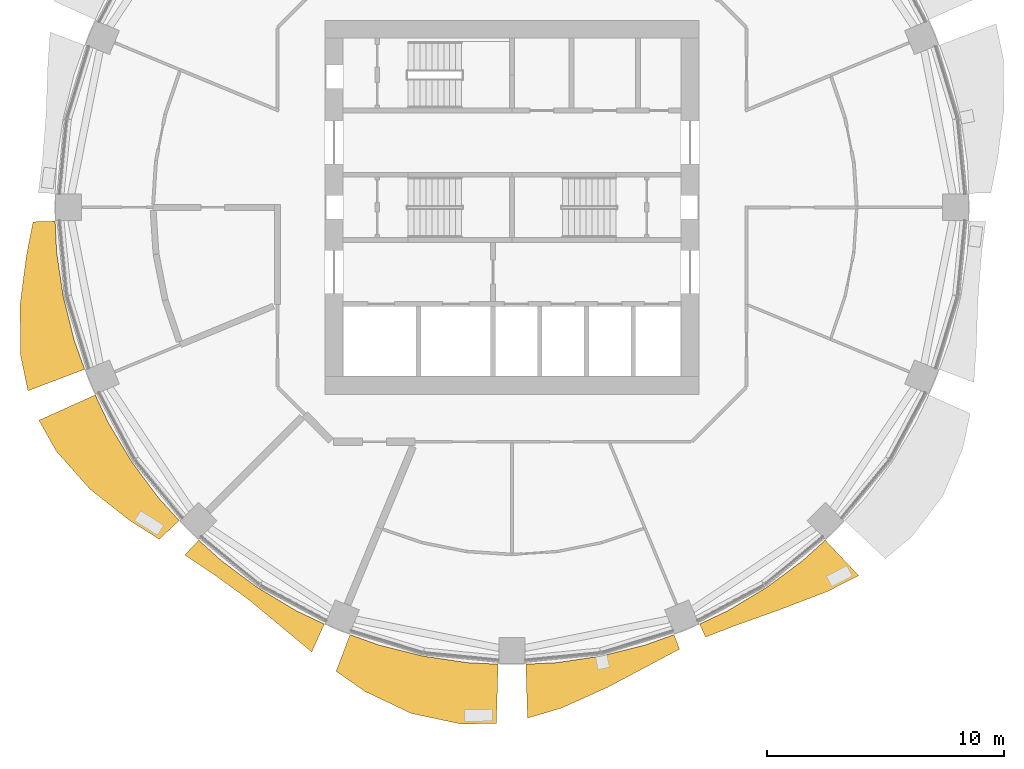
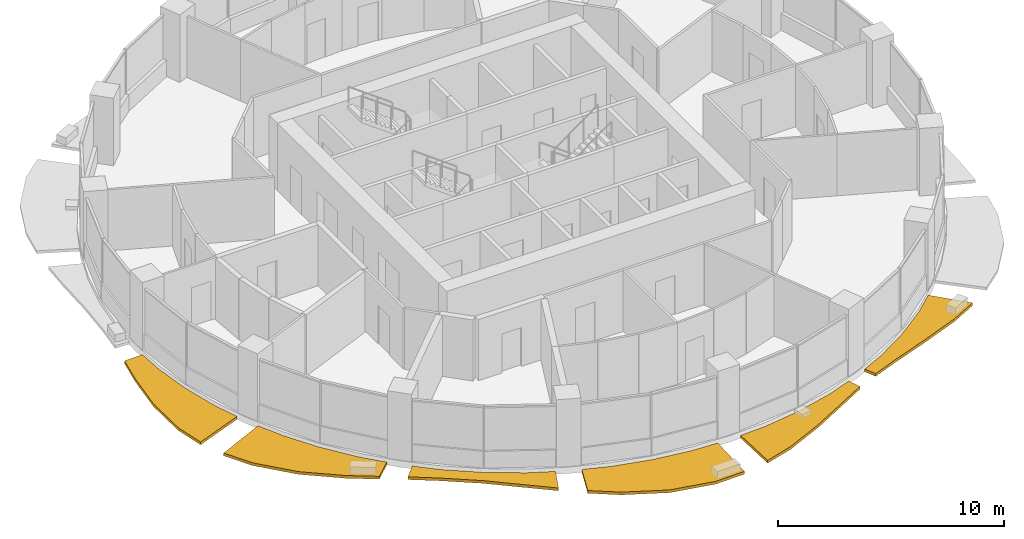
# One storey, part 11 of 14: 6 shading devices.
"""IFC4 building model written with IfcOpenShell, lengths in metres."""

from ifc_helpers import new_model, si_unit, direction, frame, origin, place, context, subcontext, project, spatial, polyline, outline, extrude, material, type_object, element, save


model = new_model("IFC4")

# Units and contexts
model_context = context("Model", 3, precision=1e-05, world=origin(), true_north=direction((0.0, 1.0)))
body_context = subcontext(model_context, "Body", "Model", "MODEL_VIEW")
ifc_project = project(units=[si_unit("LENGTHUNIT", "METRE"), si_unit("AREAUNIT", "SQUARE_METRE"), si_unit("VOLUMEUNIT", "CUBIC_METRE"), si_unit("PLANEANGLEUNIT", "RADIAN"), si_unit("MASSUNIT", "GRAM", prefix="KILO")], contexts=[model_context])

# Site, building, storey
site_placement = place(None, origin())
site = spatial("IfcSite", under=ifc_project, at=site_placement, CompositionType="ELEMENT")
building_placement = place(site_placement, origin())
building = spatial("IfcBuilding", under=site, at=building_placement, Name="Polderwave Tower", CompositionType="ELEMENT")
storey_placement = place(building_placement, frame((0.0, 0.0, 101.949951171875)))
storey = spatial("IfcBuildingStorey", under=building, at=storey_placement, Name="L26", CompositionType="ELEMENT", Elevation=101.949951171875)

# Shading devices
ifc_material = material(Name="Terracotta", Category="masonry")
shading_device_type = type_object("IfcShadingDeviceType", Name="Terracotta sunshade band", PredefinedType="USERDEFINED", material=ifc_material)
shading_device_1_placement = place(storey_placement, frame((0.0, 0.0, -0.349853515625)))
element("IfcShadingDevice", 1, at=shading_device_1_placement, inside=storey, type_object=shading_device_type, Name="Sunshade band L26 9", ObjectType="SUNSHADE", PredefinedType="USERDEFINED", context=body_context, shape_type="SweptSolid", body=[
    extrude(outline(polyline([(-19.2412109375, -0.583984375), (-19.17724609375, -1.888916015625), (-18.899658203125, -3.759521484375), (-18.440185546875, -5.59375), (-18.000244140625, -6.82373046875), (-20.384765625, -7.727783203125), (-20.6884765625, -6.27587890625), (-20.719482421875, -4.121337890625), (-20.4462890625, -2.013916015625), (-20.168212890625, -0.6123046875), (-19.2412109375, -0.583984375)])), origin(), (0.0, 0.0, 1.0), 0.14990234375),
])
shading_device_2_placement = place(storey_placement, frame((0.0, 0.0, -0.349853515625)))
element("IfcShadingDevice", 2, at=shading_device_2_placement, inside=storey, type_object=shading_device_type, Name="Sunshade band L26 10", ObjectType="SUNSHADE", PredefinedType="USERDEFINED", context=body_context, shape_type="SweptSolid", body=[
    extrude(outline(polyline([(-17.552978515625, -7.90283203125), (-16.99462890625, -9.083740234375), (-16.0224609375, -10.705810546875), (-14.89599609375, -12.224853515625), (-14.0185546875, -13.192626953125), (-14.854736328125, -13.9794921875), (-16.0849609375, -13.20068359375), (-17.77099609375, -11.874267578125), (-19.197998046875, -10.26171875), (-19.9228515625, -8.9697265625), (-17.552978515625, -7.90283203125)])), origin(), (0.0, 0.0, 1.0), 0.14990234375),
])
shading_device_3_placement = place(storey_placement, frame((0.0, 0.0, -0.349853515625)))
element("IfcShadingDevice", 3, at=shading_device_3_placement, inside=storey, type_object=shading_device_type, Name="Sunshade band L26 11", ObjectType="SUNSHADE", PredefinedType="USERDEFINED", context=body_context, shape_type="SweptSolid", body=[
    extrude(outline(polyline([(-13.192626953125, -14.0185546875), (-12.224853515625, -14.89599609375), (-10.705810546875, -16.0224609375), (-9.083740234375, -16.99462890625), (-7.90283203125, -17.552978515625), (-8.431884765625, -18.728271484375), (-9.52587890625, -17.82177734375), (-11.0576171875, -16.548828125), (-12.639892578125, -15.401611328125), (-13.781982421875, -14.64501953125), (-13.192626953125, -14.0185546875)])), origin(), (0.0, 0.0, 1.0), 0.14990234375),
])
shading_device_4_placement = place(storey_placement, frame((0.0, 0.0, -0.349853515625)))
element("IfcShadingDevice", 4, at=shading_device_4_placement, inside=storey, type_object=shading_device_type, Name="Sunshade band L26 12", ObjectType="SUNSHADE", PredefinedType="USERDEFINED", context=body_context, shape_type="SweptSolid", body=[
    extrude(outline(polyline([(-6.82373046875, -18.000244140625), (-5.59375, -18.440185546875), (-3.759521484375, -18.899658203125), (-1.888916015625, -19.17724609375), (-0.583984375, -19.2412109375), (-0.65966796875, -21.732421875), (-2.143310546875, -21.7626953125), (-4.239990234375, -21.316650390625), (-6.185791015625, -20.3916015625), (-7.40771484375, -19.540771484375), (-6.82373046875, -18.000244140625)])), origin(), (0.0, 0.0, 1.0), 0.14990234375),
])
shading_device_5_placement = place(storey_placement, frame((0.0, 0.0, -0.349853515625)))
element("IfcShadingDevice", 5, at=shading_device_5_placement, inside=storey, type_object=shading_device_type, Name="Sunshade band L26 13", ObjectType="SUNSHADE", PredefinedType="USERDEFINED", context=body_context, shape_type="SweptSolid", body=[
    extrude(outline(polyline([(0.583984375, -19.2412109375), (1.888916015625, -19.17724609375), (3.759521484375, -18.899658203125), (5.59375, -18.440185546875), (6.82373046875, -18.000244140625), (7.05419921875, -18.607666015625), (5.8408203125, -19.254150390625), (4.021728515625, -20.218505859375), (2.077392578125, -21.0927734375), (0.653076171875, -21.512939453125), (0.583984375, -19.2412109375)])), origin(), (0.0, 0.0, 1.0), 0.14990234375),
])
shading_device_6_placement = place(storey_placement, frame((0.0, 0.0, -0.349853515625)))
element("IfcShadingDevice", 6, at=shading_device_6_placement, inside=storey, type_object=shading_device_type, Name="Sunshade band L26 14", ObjectType="SUNSHADE", PredefinedType="USERDEFINED", context=body_context, shape_type="SweptSolid", body=[
    extrude(outline(polyline([(7.90283203125, -17.552978515625), (9.083740234375, -16.99462890625), (10.705810546875, -16.0224609375), (12.224853515625, -14.89599609375), (13.192626953125, -14.0185546875), (14.598876953125, -15.5126953125), (13.279052734375, -16.180419921875), (11.315185546875, -16.934326171875), (9.41455078125, -17.61328125), (8.149658203125, -18.101318359375), (7.90283203125, -17.552978515625)])), origin(), (0.0, 0.0, 1.0), 0.14990234375),
])

save(model, "model.ifc")
